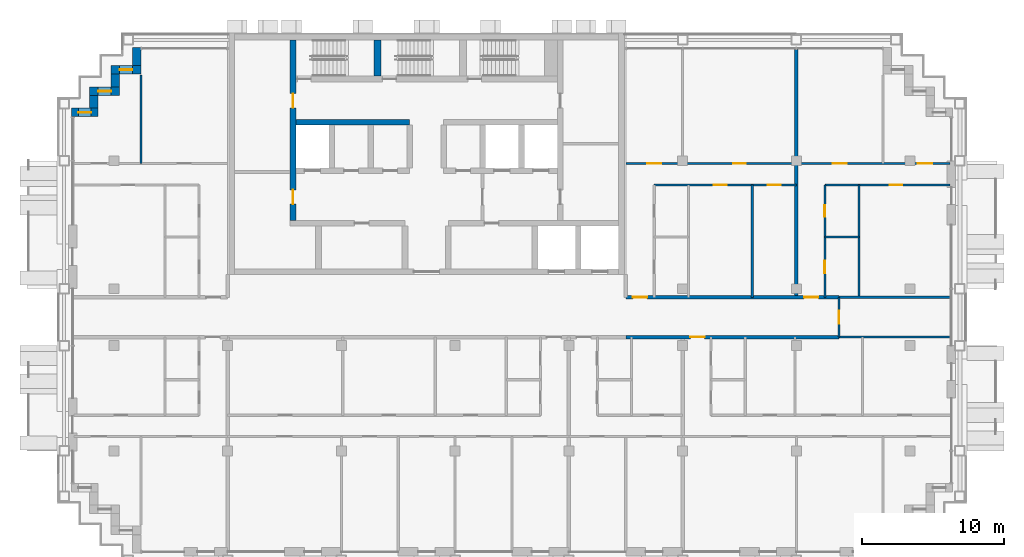
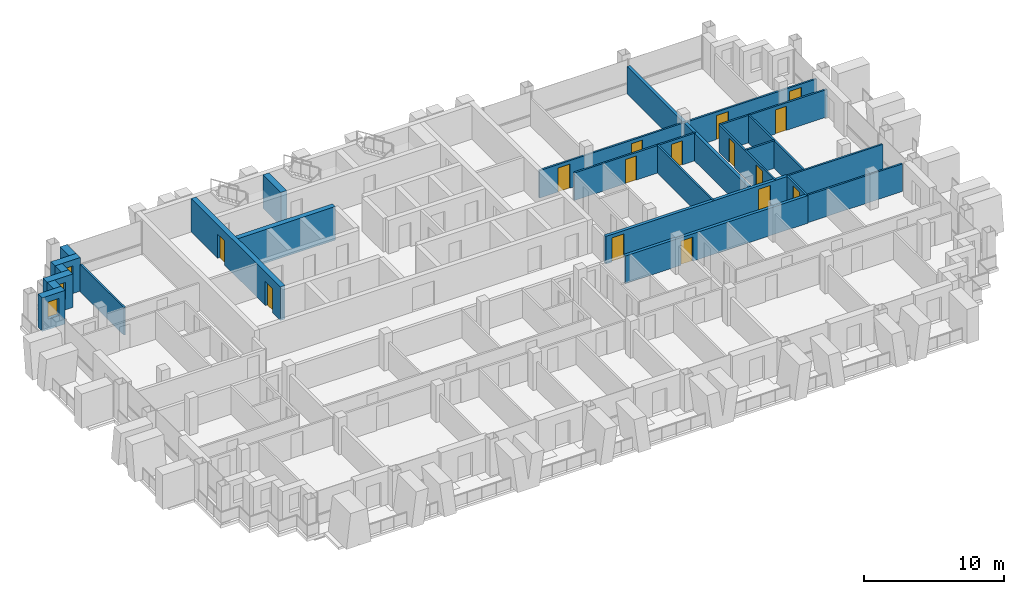
# One storey, part 11 of 16: 24 walls, 15 doors, 3 windows, 18 openings.
"""IFC4 building model written with IfcOpenShell, lengths in metres."""

import ifcopenshell
import ifcopenshell.guid

model = None  # the IFC model being written
_history = None  # IfcOwnerHistory: only IFC2X3 demands one
_inside = {}  # id of a spatial element -> (the spatial element, [elements in it])
_under = {}  # id of a project, library or spatial element -> (it, [spatial elements below it])
_declared = {}  # id of a project -> (the project, [libraries it declares])
_typed = {}  # id of a type object -> (the type object, [elements of that type])
_made_of = {}  # id of a material, layer set ... -> (it, [elements and type objects made of it])


def new_model(schema):
    """Start an empty IFC model of exactly this schema.

    Asked for "IFC4X3", IfcOpenShell would pick the latest addendum, in which some entities
    have other attributes; the version numbers below select the first issue.
    IFC2X3 requires an IfcOwnerHistory on every rooted entity: one is made here for all.
    """
    global model, _history
    if schema == "IFC4X3":
        model = ifcopenshell.file(schema_version=(4, 3, 0, 0))
    else:
        model = ifcopenshell.file(schema=schema)
    _inside.clear()
    _under.clear()
    _declared.clear()
    _typed.clear()
    _made_of.clear()
    _history = None
    if model.schema == "IFC2X3":
        org = make("IfcOrganization", Name="unknown")
        user = make(
            "IfcPersonAndOrganization",
            ThePerson=make("IfcPerson", FamilyName="unknown"),
            TheOrganization=org,
        )
        app = make(
            "IfcApplication",
            ApplicationDeveloper=org,
            Version="unknown",
            ApplicationFullName="unknown",
            ApplicationIdentifier="unknown",
        )
        _history = make(
            "IfcOwnerHistory",
            OwningUser=user,
            OwningApplication=app,
            ChangeAction="ADDED",
            CreationDate=0,
        )
    return model


def make(cls, **values):
    """One entity of the class cls with the attributes given. An attribute that is None is left unset."""
    return model.create_entity(
        cls, **{name: value for name, value in values.items() if value is not None}
    )


def rooted(cls, **values):
    """An entity with a GlobalId (a new one), such as an element, a storey or a relation."""
    return make(cls, GlobalId=ifcopenshell.guid.new(), OwnerHistory=_history, **values)


def si_unit(unit_type, name, prefix=None):
    """IfcSIUnit, for example si_unit("LENGTHUNIT", "METRE", prefix="MILLI")."""
    return make("IfcSIUnit", UnitType=unit_type, Prefix=prefix, Name=name)


def assignment(units):
    """IfcUnitAssignment: the units of a project."""
    return None if units is None else make("IfcUnitAssignment", Units=units)


def point(xyz):
    """IfcCartesianPoint."""
    return None if xyz is None else make("IfcCartesianPoint", Coordinates=xyz)


def direction(xyz):
    """IfcDirection."""
    return None if xyz is None else make("IfcDirection", DirectionRatios=xyz)


def frame(location, z_axis=None, x_axis=None):
    """IfcAxis2Placement3D, a coordinate frame: its origin and axes. An axis left out is left unset."""
    return make(
        "IfcAxis2Placement3D",
        Location=point(location),
        Axis=direction(z_axis),
        RefDirection=direction(x_axis),
    )


def frame_2d(location, x_axis=None):
    """IfcAxis2Placement2D, a coordinate frame in the plane: its origin and x axis."""
    return make(
        "IfcAxis2Placement2D", Location=point(location), RefDirection=direction(x_axis)
    )


def origin():
    """The frame at (0, 0, 0) with its axes left unset."""
    return frame((0.0, 0.0, 0.0))


def place(relative_to, where):
    """IfcLocalPlacement: puts the frame where relative to a parent placement (None: the world)."""
    return make(
        "IfcLocalPlacement", PlacementRelTo=relative_to, RelativePlacement=where
    )


def context(
    kind, dimensions, precision=None, world=None, true_north=None, identifier=None
):
    """IfcGeometricRepresentationContext, for example the 3D "Model" context."""
    return make(
        "IfcGeometricRepresentationContext",
        ContextIdentifier=identifier,
        ContextType=kind,
        CoordinateSpaceDimension=dimensions,
        Precision=precision,
        WorldCoordinateSystem=world,
        TrueNorth=true_north,
    )


def subcontext(parent, identifier, kind, view, scale=None):
    """IfcGeometricRepresentationSubContext, for example "Body" below "Model"."""
    return make(
        "IfcGeometricRepresentationSubContext",
        ContextIdentifier=identifier,
        ContextType=kind,
        ParentContext=parent,
        TargetScale=scale,
        TargetView=view,
    )


def project(units=None, contexts=None):
    """IfcProject with its units and contexts."""
    return rooted(
        "IfcProject",
        Name="project",
        RepresentationContexts=contexts,
        UnitsInContext=assignment(units),
    )


def spatial(cls, under=None, at=None, **own):
    """A site, building, storey or space (cls), placed at a placement, below another one or the project."""
    s = rooted(cls, ObjectPlacement=at, **own)
    if under is not None:
        _under.setdefault(under.id(), (under, []))[1].append(s)
    return s


def profile(cls, at=None, kind="AREA", **sizes):
    """A parametric profile (cls). Its sizes go by their IFC names, for example OverallWidth=200.0."""
    return make(cls, ProfileType=kind, Position=at, **sizes)


def rectangle(**sizes):
    """IfcRectangleProfileDef."""
    return profile("IfcRectangleProfileDef", **sizes)


def extrude(swept, where, along, depth):
    """IfcExtrudedAreaSolid: the profile swept, set in the frame where, extruded along a direction by depth."""
    return make(
        "IfcExtrudedAreaSolid",
        SweptArea=swept,
        Position=where,
        ExtrudedDirection=direction(along),
        Depth=depth,
    )


def shape(context_of_items, identifier, shape_type, items):
    """IfcShapeRepresentation: the items that make up one representation, for example the "Body"."""
    return make(
        "IfcShapeRepresentation",
        ContextOfItems=context_of_items,
        RepresentationIdentifier=identifier,
        RepresentationType=shape_type,
        Items=items,
    )


def material(Name=None, Category=None):
    """IfcMaterial."""
    return make("IfcMaterial", Name=Name, Category=Category)


def layer(
    of_material, thickness, ventilated=None, Name=None, Category=None, Priority=None
):
    """IfcMaterialLayer: one layer of a wall or slab, of a material (None: an air gap)."""
    return make(
        "IfcMaterialLayer",
        Material=of_material,
        LayerThickness=thickness,
        IsVentilated=ventilated,
        Name=Name,
        Category=Category,
        Priority=Priority,
    )


def layer_set(layers, Name=None):
    """IfcMaterialLayerSet."""
    return make("IfcMaterialLayerSet", MaterialLayers=layers, LayerSetName=Name)


def made_of(thing, what):
    """Note that an element or type object is made of a material, layer set ...; save() writes the relation."""
    if what is not None:
        _made_of.setdefault(what.id(), (what, []))[1].append(thing)
    return thing


def type_object(cls, material=None, **own):
    """A type object (cls), such as IfcWallType, which elements share."""
    return made_of(rooted(cls, **own), material)


def element(
    cls,
    number,
    at=None,
    inside=None,
    cuts=None,
    type_object=None,
    material=None,
    context=None,
    identifier="Body",
    shape_type=None,
    held_by="IfcProductDefinitionShape",
    body=None,
    shapes=None,
    **own,
):
    """One element of the class cls, such as IfcWall. Its Tag is "e" and its number.

    at: its placement. inside: the storey or other place that contains it. cuts: it is an
    opening in that element (IfcRelVoidsElement). A single representation is given by context,
    identifier, shape_type and body (its items); several are given by shapes. held_by: the class
    of the entity that holds the representations. save() writes the other relations.
    """
    e = rooted(cls, Tag="e%d" % number, ObjectPlacement=at, **own)
    if body is not None:
        shapes = [shape(context, identifier, shape_type, body)]
    if shapes is not None:
        e.Representation = make(held_by, Representations=shapes)
    if inside is not None:
        _inside.setdefault(inside.id(), (inside, []))[1].append(e)
    if cuts is not None:
        rooted(
            "IfcRelVoidsElement", RelatingBuildingElement=cuts, RelatedOpeningElement=e
        )
    if type_object is not None:
        _typed.setdefault(type_object.id(), (type_object, []))[1].append(e)
    return made_of(e, material)


def fill(opening, filler):
    """IfcRelFillsElement: the door or window that sits in an opening."""
    return rooted(
        "IfcRelFillsElement",
        RelatingOpeningElement=opening,
        RelatedBuildingElement=filler,
    )


def aggregate(whole, parts):
    """IfcRelAggregates: a whole, such as a stair, and the parts it consists of."""
    return rooted("IfcRelAggregates", RelatingObject=whole, RelatedObjects=parts)


def save(model, path):
    """Write the relations noted so far, then the file.

    IfcRelAggregates (storeys below a building ...), IfcRelContainedInSpatialStructure (elements
    in a storey), IfcRelDefinesByType, IfcRelAssociatesMaterial and IfcRelDeclares: one each for
    every whole, place, type object, material and project.
    """
    for whole, parts in _under.values():
        aggregate(whole, parts)
    for where, things in _inside.values():
        rooted(
            "IfcRelContainedInSpatialStructure",
            RelatedElements=things,
            RelatingStructure=where,
        )
    for kind, things in _typed.values():
        rooted("IfcRelDefinesByType", RelatedObjects=things, RelatingType=kind)
    for what, things in _made_of.values():
        rooted("IfcRelAssociatesMaterial", RelatedObjects=things, RelatingMaterial=what)
    for by, libraries in _declared.values():
        rooted("IfcRelDeclares", RelatingContext=by, RelatedDefinitions=libraries)
    model.write(path)


model = new_model("IFC4")

# Units and contexts
model_context = context("Model", 3, precision=1e-05, world=origin(), true_north=direction((0.0, 1.0)))
body_context = subcontext(model_context, "Body", "Model", "MODEL_VIEW")
ifc_project = project(units=[si_unit("LENGTHUNIT", "METRE"), si_unit("AREAUNIT", "SQUARE_METRE"), si_unit("VOLUMEUNIT", "CUBIC_METRE"), si_unit("PLANEANGLEUNIT", "RADIAN"), si_unit("MASSUNIT", "GRAM", prefix="KILO")], contexts=[model_context])

# Site, building, storey
site_placement = place(None, origin())
site = spatial("IfcSite", under=ifc_project, at=site_placement, CompositionType="ELEMENT")
building_placement = place(site_placement, origin())
building = spatial("IfcBuilding", under=site, at=building_placement, Name="Vidyagriha Tower", CompositionType="ELEMENT")
storey_placement = place(building_placement, frame((0.0, 0.0, 184.5)))
storey = spatial("IfcBuildingStorey", under=building, at=storey_placement, Name="L48", CompositionType="ELEMENT", Elevation=184.5)

# Wall
ifc_material_1 = material(Name="Precast concrete C40/50 with brick facing", Category="concrete")
ifc_layer_1 = layer(ifc_material_1, 0.60009765625)
ifc_layer_set_1 = layer_set([ifc_layer_1], Name="Precast concrete C40/50 with brick facing")
wall_type_1 = type_object("IfcWallType", Name="Brick-faced precast wall 600", PredefinedType="STANDARD", material=ifc_layer_set_1)
wall_1_placement = place(storey_placement, frame((-20.39990234375, 18.97998046875, 0.0), z_axis=(0.0, 0.0, 1.0), x_axis=(0.0, -1.0, 0.0)))
element("IfcWall", 1, at=wall_1_placement, inside=storey, type_object=wall_type_1, Name="Stepped corner wall L48 R10", PredefinedType="STANDARD", context=body_context, shape_type="SweptSolid", body=[
    extrude(rectangle(XDim=1.280029296875, YDim=0.60009765625, at=frame_2d((0.64013671875, 0.0))), origin(), (0.0, 0.0, 1.0), 2.919921875),
])

# Wall, opening, window
wall_2_placement = place(storey_placement, frame((-20.10009765625, 17.39990234375, 0.0), z_axis=(0.0, 0.0, 1.0), x_axis=(-1.0, 0.0, 0.0)))
wall_2 = element("IfcWall", 2, at=wall_2_placement, inside=storey, type_object=wall_type_1, Name="Stepped corner wall L48 R11", PredefinedType="STANDARD", context=body_context, shape_type="SweptSolid", body=[
    extrude(rectangle(XDim=2.099853515625, YDim=0.60009765625, at=frame_2d((1.0498046875, 0.0))), origin(), (0.0, 0.0, 1.0), 2.919921875),
])
opening_1_placement = place(wall_2_placement, frame((0.60009765625, 0.0, 0.89990234375)))
opening_1 = element("IfcOpeningElement", 3, at=opening_1_placement, cuts=wall_2, Name="Opening WN1", PredefinedType="OPENING", context=body_context, shape_type="SweptSolid", body=[
    extrude(rectangle(XDim=0.89990234375, YDim=1.5, at=frame_2d((0.449951171875, 0.75))), frame((0.0, 0.31005859375, 0.0), z_axis=(0.0, -1.0, 0.0), x_axis=(1.0, 0.0, 0.0)), (0.0, 0.0, 1.0), 0.6201171875),
])
ifc_material_2 = material(Name="Aluminium and glass window", Category="aluminium")
window_type = type_object("IfcWindowType", Name="Reveal window 900x1500", PartitioningType="NOTDEFINED", PredefinedType="WINDOW", material=ifc_material_2)
window_1_placement = place(opening_1_placement, origin())
window_1 = element("IfcWindow", 4, at=window_1_placement, inside=storey, type_object=window_type, Name="Reveal window L48 R11", OverallHeight=1.5, OverallWidth=0.89990234375, PartitioningType="SINGLE_PANEL", PredefinedType="WINDOW", context=body_context, shape_type="SweptSolid", body=[
    extrude(rectangle(XDim=0.89990234375, YDim=1.5, at=frame_2d((0.449951171875, 0.75))), frame((0.0, 0.030029296875, 0.0), z_axis=(0.0, -1.0, 0.0), x_axis=(1.0, 0.0, 0.0)), (0.0, 0.0, 1.0), 0.06005859375),
])
fill(opening_1, window_1)

# Wall
wall_3_placement = place(storey_placement, frame((-21.89990234375, 17.10009765625, 0.0), z_axis=(0.0, 0.0, 1.0), x_axis=(0.0, -1.0, 0.0)))
element("IfcWall", 5, at=wall_3_placement, inside=storey, type_object=wall_type_1, Name="Stepped corner wall L48 R12", PredefinedType="STANDARD", context=body_context, shape_type="SweptSolid", body=[
    extrude(rectangle(XDim=0.900146484375, YDim=0.60009765625, at=frame_2d((0.4501953125, 0.0))), origin(), (0.0, 0.0, 1.0), 2.919921875),
])

# Wall, opening, window
wall_4_placement = place(storey_placement, frame((-21.60009765625, 15.89990234375, 0.0), z_axis=(0.0, 0.0, 1.0), x_axis=(-1.0, 0.0, 0.0)))
wall_4 = element("IfcWall", 6, at=wall_4_placement, inside=storey, type_object=wall_type_1, Name="Stepped corner wall L48 R13", PredefinedType="STANDARD", context=body_context, shape_type="SweptSolid", body=[
    extrude(rectangle(XDim=2.099853515625, YDim=0.60009765625, at=frame_2d((1.0498046875, 0.0))), origin(), (0.0, 0.0, 1.0), 2.919921875),
])
opening_2_placement = place(wall_4_placement, frame((0.60009765625, 0.0, 0.89990234375)))
opening_2 = element("IfcOpeningElement", 7, at=opening_2_placement, cuts=wall_4, Name="Opening WN1", PredefinedType="OPENING", context=body_context, shape_type="SweptSolid", body=[
    extrude(rectangle(XDim=0.89990234375, YDim=1.5, at=frame_2d((0.449951171875, 0.75))), frame((0.0, 0.31005859375, 0.0), z_axis=(0.0, -1.0, 0.0), x_axis=(1.0, 0.0, 0.0)), (0.0, 0.0, 1.0), 0.6201171875),
])
window_2_placement = place(opening_2_placement, origin())
window_2 = element("IfcWindow", 8, at=window_2_placement, inside=storey, type_object=window_type, Name="Reveal window L48 R13", OverallHeight=1.5, OverallWidth=0.89990234375, PartitioningType="SINGLE_PANEL", PredefinedType="WINDOW", context=body_context, shape_type="SweptSolid", body=[
    extrude(rectangle(XDim=0.89990234375, YDim=1.5, at=frame_2d((0.449951171875, 0.75))), frame((0.0, 0.030029296875, 0.0), z_axis=(0.0, -1.0, 0.0), x_axis=(1.0, 0.0, 0.0)), (0.0, 0.0, 1.0), 0.06005859375),
])
fill(opening_2, window_2)

# Wall
wall_5_placement = place(storey_placement, frame((-23.39990234375, 15.60009765625, 0.0), z_axis=(0.0, 0.0, 1.0), x_axis=(0.0, -1.0, 0.0)))
element("IfcWall", 9, at=wall_5_placement, inside=storey, type_object=wall_type_1, Name="Stepped corner wall L48 R14", PredefinedType="STANDARD", context=body_context, shape_type="SweptSolid", body=[
    extrude(rectangle(XDim=0.900146484375, YDim=0.60009765625, at=frame_2d((0.4501953125, 0.0))), origin(), (0.0, 0.0, 1.0), 2.919921875),
])

# Wall, opening, window
wall_6_placement = place(storey_placement, frame((-23.10009765625, 14.39990234375, 0.0), z_axis=(0.0, 0.0, 1.0), x_axis=(-1.0, 0.0, 0.0)))
wall_6 = element("IfcWall", 10, at=wall_6_placement, inside=storey, type_object=wall_type_1, Name="Stepped corner wall L48 R15", PredefinedType="STANDARD", context=body_context, shape_type="SweptSolid", body=[
    extrude(rectangle(XDim=1.8798828125, YDim=0.60009765625, at=frame_2d((0.93994140625, 0.0))), origin(), (0.0, 0.0, 1.0), 2.919921875),
])
opening_3_placement = place(wall_6_placement, frame((0.489990234375, 0.0, 0.89990234375)))
opening_3 = element("IfcOpeningElement", 11, at=opening_3_placement, cuts=wall_6, Name="Opening WN1", PredefinedType="OPENING", context=body_context, shape_type="SweptSolid", body=[
    extrude(rectangle(XDim=0.89990234375, YDim=1.5, at=frame_2d((0.449951171875, 0.75))), frame((0.0, 0.31005859375, 0.0), z_axis=(0.0, -1.0, 0.0), x_axis=(1.0, 0.0, 0.0)), (0.0, 0.0, 1.0), 0.6201171875),
])
window_3_placement = place(opening_3_placement, origin())
window_3 = element("IfcWindow", 12, at=window_3_placement, inside=storey, type_object=window_type, Name="Reveal window L48 R15", OverallHeight=1.5, OverallWidth=0.89990234375, PartitioningType="SINGLE_PANEL", PredefinedType="WINDOW", context=body_context, shape_type="SweptSolid", body=[
    extrude(rectangle(XDim=0.89990234375, YDim=1.5, at=frame_2d((0.449951171875, 0.75))), frame((0.0, 0.030029296875, 0.0), z_axis=(0.0, -1.0, 0.0), x_axis=(1.0, 0.0, 0.0)), (0.0, 0.0, 1.0), 0.06005859375),
])
fill(opening_3, window_3)

# Wall, openings, doors
ifc_material_3 = material(Name="Concrete C60/75", Category="concrete")
ifc_layer_2 = layer(ifc_material_3, 0.39990234375)
ifc_layer_set_2 = layer_set([ifc_layer_2], Name="Concrete C60/75")
wall_type_2 = type_object("IfcWallType", Name="Core shear wall 400 mm", PredefinedType="SHEAR", material=ifc_layer_set_2)
wall_7_placement = place(storey_placement, frame((-9.39990234375, 6.800048828125, 0.0), z_axis=(0.0, 0.0, 1.0), x_axis=(0.0, 1.0, 0.0)))
wall_7 = element("IfcWall", 13, at=wall_7_placement, inside=storey, type_object=wall_type_2, Name="Core west spine wall", PredefinedType="SHEAR", context=body_context, shape_type="SweptSolid", body=[
    extrude(rectangle(XDim=12.699951171875, YDim=0.39990234375, at=frame_2d((6.35009765625, 0.0))), origin(), (0.0, 0.0, 1.0), 2.919921875),
])
opening_4_placement = place(wall_7_placement, frame((1.14990234375, 0.0, 0.0)))
opening_4 = element("IfcOpeningElement", 14, at=opening_4_placement, cuts=wall_7, Name="Opening D48-11", PredefinedType="OPENING", context=body_context, shape_type="SweptSolid", body=[
    extrude(rectangle(XDim=1.0, YDim=2.10009765625, at=frame_2d((0.5, 1.050048828125))), frame((0.0, 0.2099609375, 0.0), z_axis=(0.0, -1.0, 0.0), x_axis=(1.0, 0.0, 0.0)), (0.0, 0.0, 1.0), 0.419921875),
])
opening_5_placement = place(wall_7_placement, frame((7.925048828125, 0.0, 0.0)))
opening_5 = element("IfcOpeningElement", 15, at=opening_5_placement, cuts=wall_7, Name="Opening D48-12", PredefinedType="OPENING", context=body_context, shape_type="SweptSolid", body=[
    extrude(rectangle(XDim=1.0, YDim=2.10009765625, at=frame_2d((0.5, 1.050048828125))), frame((0.0, 0.2099609375, 0.0), z_axis=(0.0, -1.0, 0.0), x_axis=(1.0, 0.0, 0.0)), (0.0, 0.0, 1.0), 0.419921875),
])
ifc_material_4 = material(Name="Hollow metal door leaf")
door_type_1 = type_object("IfcDoorType", Name="Core room door 1000 x 2100 mm EI 60", OperationType="NOTDEFINED", PredefinedType="DOOR", material=ifc_material_4)
door_1_placement = place(opening_4_placement, frame((1.0, 0.0, 0.0), z_axis=(0.0, 0.0, 1.0), x_axis=(-1.0, 0.0, 0.0)))
door_1 = element("IfcDoor", 16, at=door_1_placement, inside=storey, type_object=door_type_1, Name="Door Pressurisation Plant Room 48.W1", OperationType="SINGLE_SWING_RIGHT", OverallHeight=2.10009765625, OverallWidth=1.0, PredefinedType="DOOR", context=body_context, shape_type="SweptSolid", body=[
    extrude(rectangle(XDim=1.0, YDim=2.10009765625, at=frame_2d((0.5, 1.050048828125))), frame((0.0, 0.02490234375, 0.0), z_axis=(0.0, -1.0, 0.0), x_axis=(1.0, 0.0, 0.0)), (0.0, 0.0, 1.0), 0.050048828125),
])
fill(opening_4, door_1)
door_2_placement = place(opening_5_placement, frame((1.0, 0.0, 0.0), z_axis=(0.0, 0.0, 1.0), x_axis=(-1.0, 0.0, 0.0)))
door_2 = element("IfcDoor", 17, at=door_2_placement, inside=storey, type_object=door_type_1, Name="Door Storage Room 48.W2", OperationType="SINGLE_SWING_LEFT", OverallHeight=2.10009765625, OverallWidth=1.0, PredefinedType="DOOR", context=body_context, shape_type="SweptSolid", body=[
    extrude(rectangle(XDim=1.0, YDim=2.10009765625, at=frame_2d((0.5, 1.050048828125))), frame((0.0, 0.02490234375, 0.0), z_axis=(0.0, -1.0, 0.0), x_axis=(1.0, 0.0, 0.0)), (0.0, 0.0, 1.0), 0.050048828125),
])
fill(opening_5, door_2)

# Walls
wall_8_placement = place(storey_placement, frame((-9.199951171875, 13.699951171875, 0.0)))
element("IfcWall", 18, at=wall_8_placement, inside=storey, type_object=wall_type_2, Name="Core row N rear wall", PredefinedType="SHEAR", context=body_context, shape_type="SweptSolid", body=[
    extrude(rectangle(XDim=8.0, YDim=0.39990234375, at=frame_2d((4.0, 0.0))), origin(), (0.0, 0.0, 1.0), 2.919921875),
])
ifc_material_5 = material(Name="Concrete C60/75", Category="concrete")
ifc_layer_3 = layer(ifc_material_5, 0.5)
ifc_layer_set_3 = layer_set([ifc_layer_3], Name="Concrete C60/75")
wall_type_3 = type_object("IfcWallType", Name="Core shear wall 500 mm", PredefinedType="SHEAR", material=ifc_layer_set_3)
wall_9_placement = place(storey_placement, frame((-3.449951171875, 16.949951171875, 0.0), z_axis=(0.0, 0.0, 1.0), x_axis=(0.0, 1.0, 0.0)))
element("IfcWall", 19, at=wall_9_placement, inside=storey, type_object=wall_type_3, Name="Stair partition wall 1", PredefinedType="SHEAR", context=body_context, shape_type="SweptSolid", body=[
    extrude(rectangle(XDim=2.550048828125, YDim=0.5, at=frame_2d((1.27490234375, 0.0))), origin(), (0.0, 0.0, 1.0), 2.919921875),
])

# Wall, opening, door
ifc_material_6 = material(Name="Fired clay brick masonry", Category="masonry")
ifc_layer_4 = layer(ifc_material_6, 0.25)
ifc_layer_set_4 = layer_set([ifc_layer_4], Name="Fired clay brick masonry")
wall_type_4 = type_object("IfcWallType", Name="Fired clay brick corridor wall 250", PredefinedType="PARTITIONING", material=ifc_layer_set_4)
wall_10_placement = place(storey_placement, frame((29.0, -1.39990234375, 0.0), z_axis=(0.0, 0.0, 1.0), x_axis=(-1.0, 0.0, 0.0)))
wall_10 = element("IfcWall", 20, at=wall_10_placement, inside=storey, type_object=wall_type_4, Name="Wall all-L48-w069", PredefinedType="PARTITIONING", context=body_context, shape_type="SweptSolid", body=[
    extrude(rectangle(XDim=15.0, YDim=0.25, at=frame_2d((7.5, 0.0))), origin(), (0.0, 0.0, 1.0), 2.39990234375),
])
opening_6_placement = place(wall_10_placement, frame((9.452880859375, 0.0, 0.0)))
opening_6 = element("IfcOpeningElement", 21, at=opening_6_placement, cuts=wall_10, Name="Opening D48-46", PredefinedType="OPENING", context=body_context, shape_type="SweptSolid", body=[
    extrude(rectangle(XDim=1.0, YDim=2.10009765625, at=frame_2d((0.5, 1.050048828125))), frame((0.0, 0.135009765625, 0.0), z_axis=(0.0, -1.0, 0.0), x_axis=(1.0, 0.0, 0.0)), (0.0, 0.0, 1.0), 0.27001953125),
])
ifc_material_7 = material(Name="Fire-rated timber door leaf EI 60", Category="wood")
door_type_2 = type_object("IfcDoorType", Name="Flat entrance fire door 1000x2100", OperationType="NOTDEFINED", PredefinedType="DOOR", material=ifc_material_7)
door_3_placement = place(opening_6_placement, origin())
door_3 = element("IfcDoor", 22, at=door_3_placement, inside=storey, type_object=door_type_2, Name="Door D48-46", OperationType="SINGLE_SWING_RIGHT", OverallHeight=2.10009765625, OverallWidth=1.0, PredefinedType="DOOR", context=body_context, shape_type="SweptSolid", body=[
    extrude(rectangle(XDim=1.0, YDim=2.10009765625, at=frame_2d((0.5, 1.050048828125))), frame((0.0, 0.02490234375, 0.0), z_axis=(0.0, -1.0, 0.0), x_axis=(1.0, 0.0, 0.0)), (0.0, 0.0, 1.0), 0.050048828125),
])
fill(opening_6, door_3)

# Wall, openings, doors
wall_11_placement = place(storey_placement, frame((14.0, 1.39990234375, 0.0)))
wall_11 = element("IfcWall", 23, at=wall_11_placement, inside=storey, type_object=wall_type_4, Name="Wall all-L48-w111", PredefinedType="PARTITIONING", context=body_context, shape_type="SweptSolid", body=[
    extrude(rectangle(XDim=15.0, YDim=0.25, at=frame_2d((7.5, 0.0))), origin(), (0.0, 0.0, 1.0), 2.39990234375),
])
opening_7_placement = place(wall_11_placement, frame((0.5, 0.0, 0.0)))
opening_7 = element("IfcOpeningElement", 24, at=opening_7_placement, cuts=wall_11, Name="Opening D48-59", PredefinedType="OPENING", context=body_context, shape_type="SweptSolid", body=[
    extrude(rectangle(XDim=1.0, YDim=2.10009765625, at=frame_2d((0.5, 1.050048828125))), frame((0.0, 0.135009765625, 0.0), z_axis=(0.0, -1.0, 0.0), x_axis=(1.0, 0.0, 0.0)), (0.0, 0.0, 1.0), 0.27001953125),
])
opening_8_placement = place(wall_11_placement, frame((12.547119140625, 0.0, 0.0)))
opening_8 = element("IfcOpeningElement", 25, at=opening_8_placement, cuts=wall_11, Name="Opening D48-65", PredefinedType="OPENING", context=body_context, shape_type="SweptSolid", body=[
    extrude(rectangle(XDim=1.0, YDim=2.10009765625, at=frame_2d((0.5, 1.050048828125))), frame((0.0, 0.135009765625, 0.0), z_axis=(0.0, -1.0, 0.0), x_axis=(1.0, 0.0, 0.0)), (0.0, 0.0, 1.0), 0.27001953125),
])
door_4_placement = place(opening_7_placement, origin())
door_4 = element("IfcDoor", 26, at=door_4_placement, inside=storey, type_object=door_type_2, Name="Door D48-59", OperationType="SINGLE_SWING_LEFT", OverallHeight=2.10009765625, OverallWidth=1.0, PredefinedType="DOOR", context=body_context, shape_type="SweptSolid", body=[
    extrude(rectangle(XDim=1.0, YDim=2.10009765625, at=frame_2d((0.5, 1.050048828125))), frame((0.0, 0.02490234375, 0.0), z_axis=(0.0, -1.0, 0.0), x_axis=(1.0, 0.0, 0.0)), (0.0, 0.0, 1.0), 0.050048828125),
])
fill(opening_7, door_4)
door_5_placement = place(opening_8_placement, origin())
door_5 = element("IfcDoor", 27, at=door_5_placement, inside=storey, type_object=door_type_2, Name="Door D48-65", OperationType="SINGLE_SWING_LEFT", OverallHeight=2.10009765625, OverallWidth=1.0, PredefinedType="DOOR", context=body_context, shape_type="SweptSolid", body=[
    extrude(rectangle(XDim=1.0, YDim=2.10009765625, at=frame_2d((0.5, 1.050048828125))), frame((0.0, 0.02490234375, 0.0), z_axis=(0.0, -1.0, 0.0), x_axis=(1.0, 0.0, 0.0)), (0.0, 0.0, 1.0), 0.050048828125),
])
fill(opening_8, door_5)

# Walls
ifc_material_8 = material(Name="Fired clay brick masonry", Category="masonry")
ifc_layer_5 = layer(ifc_material_8, 0.25)
ifc_layer_set_5 = layer_set([ifc_layer_5], Name="Fired clay brick masonry")
wall_type_5 = type_object("IfcWallType", Name="Fired clay brick demising wall 250", PredefinedType="PARTITIONING", material=ifc_layer_set_5)
wall_12_placement = place(storey_placement, frame((26.0, 18.821044921875, 0.0), z_axis=(0.0, 0.0, 1.0), x_axis=(0.0, -1.0, 0.0)))
element("IfcWall", 28, at=wall_12_placement, inside=storey, type_object=wall_type_5, Name="Wall all-L48-w110", PredefinedType="PARTITIONING", context=body_context, shape_type="SweptSolid", body=[
    extrude(rectangle(XDim=17.421142578125, YDim=0.25, at=frame_2d((8.71044921875, 0.0))), origin(), (0.0, 0.0, 1.0), 2.39990234375),
])
ifc_material_9 = material(Name="Gypsum board partition")
ifc_layer_6 = layer(ifc_material_9, 0.14990234375)
ifc_layer_set_6 = layer_set([ifc_layer_6], Name="Gypsum board partition")
wall_type_6 = type_object("IfcWallType", Name="Gypsum board partition 150", PredefinedType="PARTITIONING", material=ifc_layer_set_6)
wall_13_placement = place(storey_placement, frame((36.820068359375, -1.39990234375, 0.0), z_axis=(0.0, 0.0, 1.0), x_axis=(-1.0, 0.0, 0.0)))
element("IfcWall", 29, at=wall_13_placement, inside=storey, type_object=wall_type_6, Name="Wall all-L48-w070", PredefinedType="PARTITIONING", context=body_context, shape_type="SweptSolid", body=[
    extrude(rectangle(XDim=7.820068359375, YDim=0.14990234375, at=frame_2d((3.91015625, 0.0))), origin(), (0.0, 0.0, 1.0), 2.39990234375),
])
wall_14_placement = place(storey_placement, frame((-20.10009765625, 17.02001953125, 0.0), z_axis=(0.0, 0.0, 1.0), x_axis=(0.0, -1.0, 0.0)))
element("IfcWall", 30, at=wall_14_placement, inside=storey, type_object=wall_type_6, Name="Wall all-L48-w081", PredefinedType="PARTITIONING", context=body_context, shape_type="SweptSolid", body=[
    extrude(rectangle(XDim=6.219970703125, YDim=0.14990234375, at=frame_2d((3.10986328125, 0.0))), origin(), (0.0, 0.0, 1.0), 2.39990234375),
])
wall_15_placement = place(storey_placement, frame((22.89990234375, 9.300048828125, 0.0), z_axis=(0.0, 0.0, 1.0), x_axis=(0.0, -1.0, 0.0)))
element("IfcWall", 31, at=wall_15_placement, inside=storey, type_object=wall_type_6, Name="Wall all-L48-w089", PredefinedType="PARTITIONING", context=body_context, shape_type="SweptSolid", body=[
    extrude(rectangle(XDim=7.900146484375, YDim=0.14990234375, at=frame_2d((3.9501953125, 0.0))), origin(), (0.0, 0.0, 1.0), 2.39990234375),
])

# Wall, openings, doors
wall_16_placement = place(storey_placement, frame((26.0, 9.300048828125, 0.0), z_axis=(0.0, 0.0, 1.0), x_axis=(-1.0, 0.0, 0.0)))
wall_16 = element("IfcWall", 32, at=wall_16_placement, inside=storey, type_object=wall_type_6, Name="Wall all-L48-w090", PredefinedType="PARTITIONING", context=body_context, shape_type="SweptSolid", body=[
    extrude(rectangle(XDim=10.0, YDim=0.14990234375, at=frame_2d((5.0, 0.0))), origin(), (0.0, 0.0, 1.0), 2.39990234375),
])
opening_9_placement = place(wall_16_placement, frame((4.89990234375, 0.0, 0.0)))
opening_9 = element("IfcOpeningElement", 33, at=opening_9_placement, cuts=wall_16, Name="Opening D48-55", PredefinedType="OPENING", context=body_context, shape_type="SweptSolid", body=[
    extrude(rectangle(XDim=0.89990234375, YDim=2.10009765625, at=frame_2d((0.449951171875, 1.050048828125))), frame((0.0, 0.0849609375, 0.0), z_axis=(0.0, -1.0, 0.0), x_axis=(1.0, 0.0, 0.0)), (0.0, 0.0, 1.0), 0.169921875),
])
opening_10_placement = place(wall_16_placement, frame((1.10009765625, 0.0, 0.0)))
opening_10 = element("IfcOpeningElement", 34, at=opening_10_placement, cuts=wall_16, Name="Opening D48-56", PredefinedType="OPENING", context=body_context, shape_type="SweptSolid", body=[
    extrude(rectangle(XDim=0.89990234375, YDim=2.10009765625, at=frame_2d((0.449951171875, 1.050048828125))), frame((0.0, 0.0849609375, 0.0), z_axis=(0.0, -1.0, 0.0), x_axis=(1.0, 0.0, 0.0)), (0.0, 0.0, 1.0), 0.169921875),
])
ifc_material_10 = material(Name="Timber door leaf", Category="wood")
door_type_3 = type_object("IfcDoorType", Name="Room door 900x2100", OperationType="NOTDEFINED", PredefinedType="DOOR", material=ifc_material_10)
door_6_placement = place(opening_9_placement, origin())
door_6 = element("IfcDoor", 35, at=door_6_placement, inside=storey, type_object=door_type_3, Name="Door D48-55", OperationType="SINGLE_SWING_RIGHT", OverallHeight=2.10009765625, OverallWidth=0.89990234375, PredefinedType="DOOR", context=body_context, shape_type="SweptSolid", body=[
    extrude(rectangle(XDim=0.89990234375, YDim=2.10009765625, at=frame_2d((0.449951171875, 1.050048828125))), frame((0.0, 0.02490234375, 0.0), z_axis=(0.0, -1.0, 0.0), x_axis=(1.0, 0.0, 0.0)), (0.0, 0.0, 1.0), 0.050048828125),
])
fill(opening_9, door_6)
door_7_placement = place(opening_10_placement, origin())
door_7 = element("IfcDoor", 36, at=door_7_placement, inside=storey, type_object=door_type_3, Name="Door D48-56", OperationType="SINGLE_SWING_RIGHT", OverallHeight=2.10009765625, OverallWidth=0.89990234375, PredefinedType="DOOR", context=body_context, shape_type="SweptSolid", body=[
    extrude(rectangle(XDim=0.89990234375, YDim=2.10009765625, at=frame_2d((0.449951171875, 1.050048828125))), frame((0.0, 0.02490234375, 0.0), z_axis=(0.0, -1.0, 0.0), x_axis=(1.0, 0.0, 0.0)), (0.0, 0.0, 1.0), 0.050048828125),
])
fill(opening_10, door_7)

wall_17_placement = place(storey_placement, frame((14.0, 10.800048828125, 0.0)))
wall_17 = element("IfcWall", 37, at=wall_17_placement, inside=storey, type_object=wall_type_6, Name="Wall all-L48-w093", PredefinedType="PARTITIONING", context=body_context, shape_type="SweptSolid", body=[
    extrude(rectangle(XDim=12.0, YDim=0.14990234375, at=frame_2d((6.0, 0.0))), origin(), (0.0, 0.0, 1.0), 2.39990234375),
])
opening_11_placement = place(wall_17_placement, frame((1.5, 0.0, 0.0)))
opening_11 = element("IfcOpeningElement", 38, at=opening_11_placement, cuts=wall_17, Name="Opening D48-57", PredefinedType="OPENING", context=body_context, shape_type="SweptSolid", body=[
    extrude(rectangle(XDim=1.0, YDim=2.10009765625, at=frame_2d((0.5, 1.050048828125))), frame((0.0, 0.0849609375, 0.0), z_axis=(0.0, -1.0, 0.0), x_axis=(1.0, 0.0, 0.0)), (0.0, 0.0, 1.0), 0.169921875),
])
opening_12_placement = place(wall_17_placement, frame((7.550048828125, 0.0, 0.0)))
opening_12 = element("IfcOpeningElement", 39, at=opening_12_placement, cuts=wall_17, Name="Opening D48-58", PredefinedType="OPENING", context=body_context, shape_type="SweptSolid", body=[
    extrude(rectangle(XDim=0.89990234375, YDim=2.10009765625, at=frame_2d((0.449951171875, 1.050048828125))), frame((0.0, 0.0849609375, 0.0), z_axis=(0.0, -1.0, 0.0), x_axis=(1.0, 0.0, 0.0)), (0.0, 0.0, 1.0), 0.169921875),
])
ifc_material_11 = material(Name="Timber door leaf", Category="wood")
door_type_4 = type_object("IfcDoorType", Name="Room door 1000x2100", OperationType="NOTDEFINED", PredefinedType="DOOR", material=ifc_material_11)
door_8_placement = place(opening_11_placement, origin())
door_8 = element("IfcDoor", 40, at=door_8_placement, inside=storey, type_object=door_type_4, Name="Door D48-57", OperationType="SINGLE_SWING_RIGHT", OverallHeight=2.10009765625, OverallWidth=1.0, PredefinedType="DOOR", context=body_context, shape_type="SweptSolid", body=[
    extrude(rectangle(XDim=1.0, YDim=2.10009765625, at=frame_2d((0.5, 1.050048828125))), frame((0.0, 0.02490234375, 0.0), z_axis=(0.0, -1.0, 0.0), x_axis=(1.0, 0.0, 0.0)), (0.0, 0.0, 1.0), 0.050048828125),
])
fill(opening_11, door_8)
door_9_placement = place(opening_12_placement, origin())
door_9 = element("IfcDoor", 41, at=door_9_placement, inside=storey, type_object=door_type_3, Name="Door D48-58", OperationType="SINGLE_SWING_RIGHT", OverallHeight=2.10009765625, OverallWidth=0.89990234375, PredefinedType="DOOR", context=body_context, shape_type="SweptSolid", body=[
    extrude(rectangle(XDim=0.89990234375, YDim=2.10009765625, at=frame_2d((0.449951171875, 1.050048828125))), frame((0.0, 0.02490234375, 0.0), z_axis=(0.0, -1.0, 0.0), x_axis=(1.0, 0.0, 0.0)), (0.0, 0.0, 1.0), 0.050048828125),
])
fill(opening_12, door_9)

# Walls
wall_18_placement = place(storey_placement, frame((28.0, 5.64990234375, 0.0)))
element("IfcWall", 42, at=wall_18_placement, inside=storey, type_object=wall_type_6, Name="Wall all-L48-w101", PredefinedType="PARTITIONING", context=body_context, shape_type="SweptSolid", body=[
    extrude(rectangle(XDim=2.39990234375, YDim=0.14990234375, at=frame_2d((1.199951171875, 0.0))), origin(), (0.0, 0.0, 1.0), 2.39990234375),
])
wall_19_placement = place(storey_placement, frame((30.39990234375, 9.300048828125, 0.0), z_axis=(0.0, 0.0, 1.0), x_axis=(0.0, -1.0, 0.0)))
element("IfcWall", 43, at=wall_19_placement, inside=storey, type_object=wall_type_6, Name="Wall all-L48-w102", PredefinedType="PARTITIONING", context=body_context, shape_type="SweptSolid", body=[
    extrude(rectangle(XDim=7.900146484375, YDim=0.14990234375, at=frame_2d((3.9501953125, 0.0))), origin(), (0.0, 0.0, 1.0), 2.39990234375),
])

# Wall, opening, door
wall_20_placement = place(storey_placement, frame((36.81005859375, 9.300048828125, 0.0), z_axis=(0.0, 0.0, 1.0), x_axis=(-1.0, 0.0, 0.0)))
wall_20 = element("IfcWall", 44, at=wall_20_placement, inside=storey, type_object=wall_type_6, Name="Wall all-L48-w103", PredefinedType="PARTITIONING", context=body_context, shape_type="SweptSolid", body=[
    extrude(rectangle(XDim=8.81005859375, YDim=0.14990234375, at=frame_2d((4.405029296875, 0.0))), origin(), (0.0, 0.0, 1.0), 2.39990234375),
])
opening_13_placement = place(wall_20_placement, frame((3.35693359375, 0.0, 0.0)))
opening_13 = element("IfcOpeningElement", 45, at=opening_13_placement, cuts=wall_20, Name="Opening D48-62", PredefinedType="OPENING", context=body_context, shape_type="SweptSolid", body=[
    extrude(rectangle(XDim=0.89990234375, YDim=2.10009765625, at=frame_2d((0.449951171875, 1.050048828125))), frame((0.0, 0.0849609375, 0.0), z_axis=(0.0, -1.0, 0.0), x_axis=(1.0, 0.0, 0.0)), (0.0, 0.0, 1.0), 0.169921875),
])
door_10_placement = place(opening_13_placement, origin())
door_10 = element("IfcDoor", 46, at=door_10_placement, inside=storey, type_object=door_type_3, Name="Door D48-62", OperationType="SINGLE_SWING_RIGHT", OverallHeight=2.10009765625, OverallWidth=0.89990234375, PredefinedType="DOOR", context=body_context, shape_type="SweptSolid", body=[
    extrude(rectangle(XDim=0.89990234375, YDim=2.10009765625, at=frame_2d((0.449951171875, 1.050048828125))), frame((0.0, 0.02490234375, 0.0), z_axis=(0.0, -1.0, 0.0), x_axis=(1.0, 0.0, 0.0)), (0.0, 0.0, 1.0), 0.050048828125),
])
fill(opening_13, door_10)

# Wall, openings, doors
wall_21_placement = place(storey_placement, frame((26.0, 10.800048828125, 0.0)))
wall_21 = element("IfcWall", 47, at=wall_21_placement, inside=storey, type_object=wall_type_6, Name="Wall all-L48-w105", PredefinedType="PARTITIONING", context=body_context, shape_type="SweptSolid", body=[
    extrude(rectangle(XDim=10.81005859375, YDim=0.14990234375, at=frame_2d((5.405029296875, 0.0))), origin(), (0.0, 0.0, 1.0), 2.39990234375),
])
opening_14_placement = place(wall_21_placement, frame((2.550048828125, 0.0, 0.0)))
opening_14 = element("IfcOpeningElement", 48, at=opening_14_placement, cuts=wall_21, Name="Opening D48-63", PredefinedType="OPENING", context=body_context, shape_type="SweptSolid", body=[
    extrude(rectangle(XDim=1.0, YDim=2.10009765625, at=frame_2d((0.5, 1.050048828125))), frame((0.0, 0.0849609375, 0.0), z_axis=(0.0, -1.0, 0.0), x_axis=(1.0, 0.0, 0.0)), (0.0, 0.0, 1.0), 0.169921875),
])
opening_15_placement = place(wall_21_placement, frame((8.547119140625, 0.0, 0.0)))
opening_15 = element("IfcOpeningElement", 49, at=opening_15_placement, cuts=wall_21, Name="Opening D48-64", PredefinedType="OPENING", context=body_context, shape_type="SweptSolid", body=[
    extrude(rectangle(XDim=1.0, YDim=2.10009765625, at=frame_2d((0.5, 1.050048828125))), frame((0.0, 0.0849609375, 0.0), z_axis=(0.0, -1.0, 0.0), x_axis=(1.0, 0.0, 0.0)), (0.0, 0.0, 1.0), 0.169921875),
])
door_11_placement = place(opening_14_placement, origin())
door_11 = element("IfcDoor", 50, at=door_11_placement, inside=storey, type_object=door_type_4, Name="Door D48-63", OperationType="SINGLE_SWING_RIGHT", OverallHeight=2.10009765625, OverallWidth=1.0, PredefinedType="DOOR", context=body_context, shape_type="SweptSolid", body=[
    extrude(rectangle(XDim=1.0, YDim=2.10009765625, at=frame_2d((0.5, 1.050048828125))), frame((0.0, 0.02490234375, 0.0), z_axis=(0.0, -1.0, 0.0), x_axis=(1.0, 0.0, 0.0)), (0.0, 0.0, 1.0), 0.050048828125),
])
fill(opening_14, door_11)
door_12_placement = place(opening_15_placement, origin())
door_12 = element("IfcDoor", 51, at=door_12_placement, inside=storey, type_object=door_type_4, Name="Door D48-64", OperationType="SINGLE_SWING_RIGHT", OverallHeight=2.10009765625, OverallWidth=1.0, PredefinedType="DOOR", context=body_context, shape_type="SweptSolid", body=[
    extrude(rectangle(XDim=1.0, YDim=2.10009765625, at=frame_2d((0.5, 1.050048828125))), frame((0.0, 0.02490234375, 0.0), z_axis=(0.0, -1.0, 0.0), x_axis=(1.0, 0.0, 0.0)), (0.0, 0.0, 1.0), 0.050048828125),
])
fill(opening_15, door_12)

# Wall
wall_22_placement = place(storey_placement, frame((29.0, 1.39990234375, 0.0)))
element("IfcWall", 52, at=wall_22_placement, inside=storey, type_object=wall_type_6, Name="Wall all-L48-w112", PredefinedType="PARTITIONING", context=body_context, shape_type="SweptSolid", body=[
    extrude(rectangle(XDim=7.820068359375, YDim=0.14990234375, at=frame_2d((3.91015625, 0.0))), origin(), (0.0, 0.0, 1.0), 2.39990234375),
])

# Wall, opening, door
wall_23_placement = place(storey_placement, frame((29.0, -1.39990234375, 0.0), z_axis=(0.0, 0.0, 1.0), x_axis=(0.0, 1.0, 0.0)))
wall_23 = element("IfcWall", 53, at=wall_23_placement, inside=storey, type_object=wall_type_6, Name="Wall all-L48-w113", PredefinedType="PARTITIONING", context=body_context, shape_type="SweptSolid", body=[
    extrude(rectangle(XDim=2.7998046875, YDim=0.14990234375, at=frame_2d((1.39990234375, 0.0))), origin(), (0.0, 0.0, 1.0), 2.39990234375),
])
opening_16_placement = place(wall_23_placement, frame((0.949951171875, 0.0, 0.0)))
opening_16 = element("IfcOpeningElement", 54, at=opening_16_placement, cuts=wall_23, Name="Opening D48-66", PredefinedType="OPENING", context=body_context, shape_type="SweptSolid", body=[
    extrude(rectangle(XDim=0.89990234375, YDim=2.10009765625, at=frame_2d((0.449951171875, 1.050048828125))), frame((0.0, 0.0849609375, 0.0), z_axis=(0.0, -1.0, 0.0), x_axis=(1.0, 0.0, 0.0)), (0.0, 0.0, 1.0), 0.169921875),
])
door_13_placement = place(opening_16_placement, origin())
door_13 = element("IfcDoor", 55, at=door_13_placement, inside=storey, type_object=door_type_3, Name="Door D48-66", OperationType="SINGLE_SWING_RIGHT", OverallHeight=2.10009765625, OverallWidth=0.89990234375, PredefinedType="DOOR", context=body_context, shape_type="SweptSolid", body=[
    extrude(rectangle(XDim=0.89990234375, YDim=2.10009765625, at=frame_2d((0.449951171875, 1.050048828125))), frame((0.0, 0.02490234375, 0.0), z_axis=(0.0, -1.0, 0.0), x_axis=(1.0, 0.0, 0.0)), (0.0, 0.0, 1.0), 0.050048828125),
])
fill(opening_16, door_13)

# Wall, openings, doors
ifc_material_12 = material(Name="Moisture resistant gypsum board partition")
ifc_layer_7 = layer(ifc_material_12, 0.14990234375)
ifc_layer_set_7 = layer_set([ifc_layer_7], Name="Moisture resistant gypsum board partition")
wall_type_7 = type_object("IfcWallType", Name="Gypsum board wet-area partition 150", PredefinedType="PARTITIONING", material=ifc_layer_set_7)
wall_24_placement = place(storey_placement, frame((28.0, 9.300048828125, 0.0), z_axis=(0.0, 0.0, 1.0), x_axis=(0.0, -1.0, 0.0)))
wall_24 = element("IfcWall", 56, at=wall_24_placement, inside=storey, type_object=wall_type_7, Name="Wall all-L48-w098", PredefinedType="PARTITIONING", context=body_context, shape_type="SweptSolid", body=[
    extrude(rectangle(XDim=7.900146484375, YDim=0.14990234375, at=frame_2d((3.9501953125, 0.0))), origin(), (0.0, 0.0, 1.0), 2.39990234375),
])
opening_17_placement = place(wall_24_placement, frame((5.324951171875, 0.0, 0.0)))
opening_17 = element("IfcOpeningElement", 57, at=opening_17_placement, cuts=wall_24, Name="Opening D48-60", PredefinedType="OPENING", context=body_context, shape_type="SweptSolid", body=[
    extrude(rectangle(XDim=0.89990234375, YDim=2.10009765625, at=frame_2d((0.449951171875, 1.050048828125))), frame((0.0, 0.0849609375, 0.0), z_axis=(0.0, -1.0, 0.0), x_axis=(1.0, 0.0, 0.0)), (0.0, 0.0, 1.0), 0.169921875),
])
opening_18_placement = place(wall_24_placement, frame((1.425048828125, 0.0, 0.0)))
opening_18 = element("IfcOpeningElement", 58, at=opening_18_placement, cuts=wall_24, Name="Opening D48-61", PredefinedType="OPENING", context=body_context, shape_type="SweptSolid", body=[
    extrude(rectangle(XDim=0.800048828125, YDim=2.10009765625, at=frame_2d((0.39990234375, 1.050048828125))), frame((0.0, 0.0849609375, 0.0), z_axis=(0.0, -1.0, 0.0), x_axis=(1.0, 0.0, 0.0)), (0.0, 0.0, 1.0), 0.169921875),
])
ifc_material_13 = material(Name="Timber door leaf", Category="wood")
door_type_5 = type_object("IfcDoorType", Name="Bathroom door 800x2100", OperationType="NOTDEFINED", PredefinedType="DOOR", material=ifc_material_13)
door_14_placement = place(opening_18_placement, origin())
door_14 = element("IfcDoor", 59, at=door_14_placement, inside=storey, type_object=door_type_5, Name="Door D48-61", OperationType="SINGLE_SWING_RIGHT", OverallHeight=2.10009765625, OverallWidth=0.800048828125, PredefinedType="DOOR", context=body_context, shape_type="SweptSolid", body=[
    extrude(rectangle(XDim=0.800048828125, YDim=2.10009765625, at=frame_2d((0.39990234375, 1.050048828125))), frame((0.0, 0.02490234375, 0.0), z_axis=(0.0, -1.0, 0.0), x_axis=(1.0, 0.0, 0.0)), (0.0, 0.0, 1.0), 0.050048828125),
])
fill(opening_18, door_14)
ifc_material_14 = material(Name="Timber door leaf", Category="wood")
door_type_6 = type_object("IfcDoorType", Name="Kitchen door 900x2100", OperationType="NOTDEFINED", PredefinedType="DOOR", material=ifc_material_14)
door_15_placement = place(opening_17_placement, origin())
door_15 = element("IfcDoor", 60, at=door_15_placement, inside=storey, type_object=door_type_6, Name="Door D48-60", OperationType="SINGLE_SWING_LEFT", OverallHeight=2.10009765625, OverallWidth=0.89990234375, PredefinedType="DOOR", context=body_context, shape_type="SweptSolid", body=[
    extrude(rectangle(XDim=0.89990234375, YDim=2.10009765625, at=frame_2d((0.449951171875, 1.050048828125))), frame((0.0, 0.02490234375, 0.0), z_axis=(0.0, -1.0, 0.0), x_axis=(1.0, 0.0, 0.0)), (0.0, 0.0, 1.0), 0.050048828125),
])
fill(opening_17, door_15)

save(model, "model.ifc")
